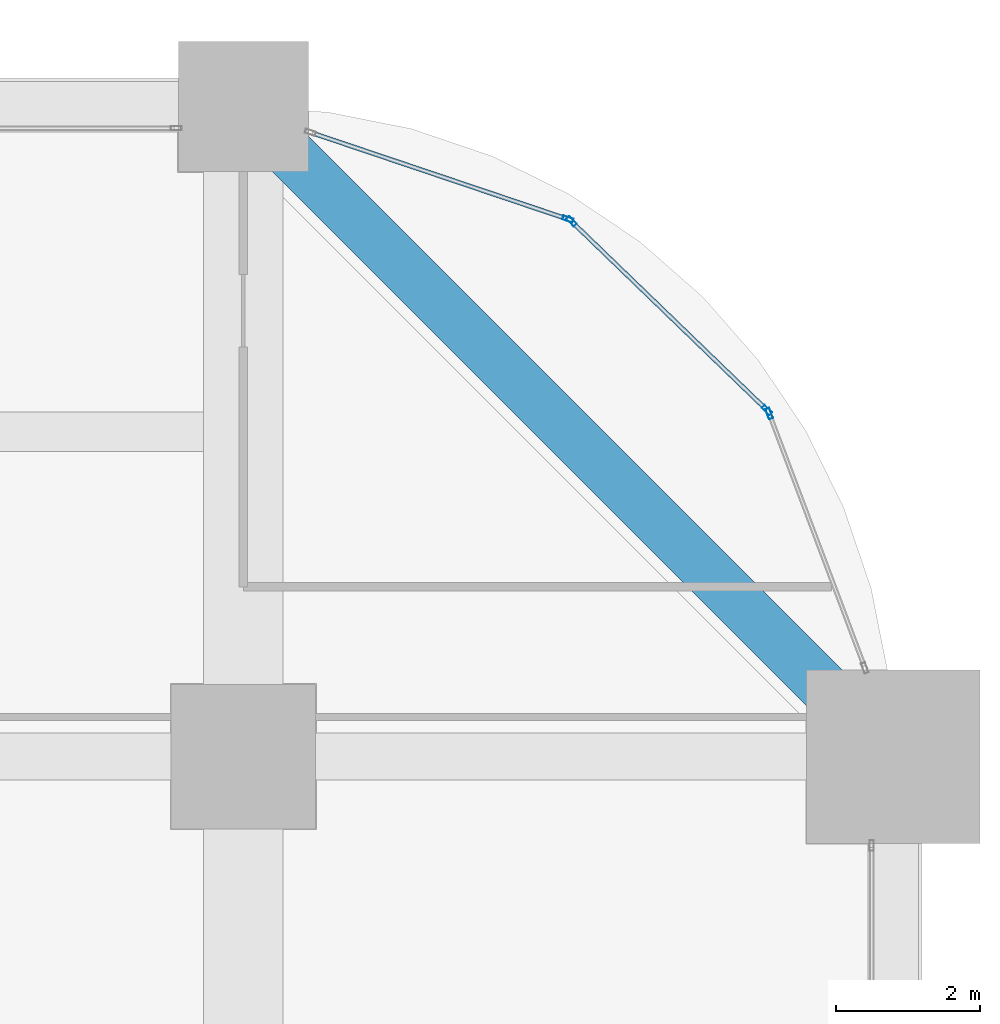
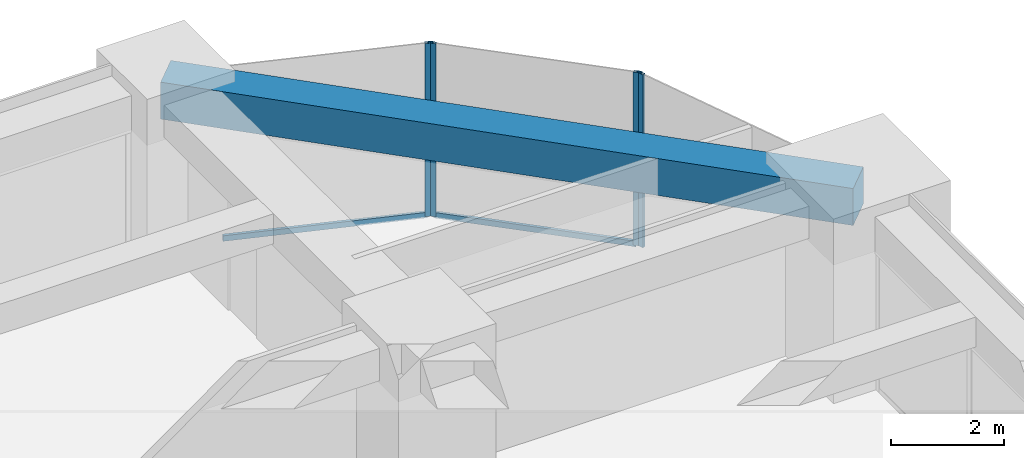
# One storey, part 34 of 41: 6 members, 1 beam, 3 elements without a shape of their own.
"""IFC4 building model written with IfcOpenShell, lengths in metres."""

from ifc_helpers import new_model, si_unit, direction, frame, origin, origin_2d, place, context, subcontext, project, spatial, rectangle, hollow_rectangle, extrude, material, material_profile, profile_set, type_object, element, aggregate, save


model = new_model("IFC4")

# Units and contexts
model_context = context("Model", 3, precision=1e-05, world=origin(), true_north=direction((0.0, 1.0)))
body_context = subcontext(model_context, "Body", "Model", "MODEL_VIEW")
ifc_project = project(units=[si_unit("LENGTHUNIT", "METRE"), si_unit("AREAUNIT", "SQUARE_METRE"), si_unit("VOLUMEUNIT", "CUBIC_METRE"), si_unit("PLANEANGLEUNIT", "RADIAN"), si_unit("MASSUNIT", "GRAM", prefix="KILO")], contexts=[model_context])

# Site, building, storey
site_placement = place(None, origin())
site = spatial("IfcSite", under=ifc_project, at=site_placement, CompositionType="ELEMENT")
building_placement = place(site_placement, origin())
building = spatial("IfcBuilding", under=site, at=building_placement, Name="Zorevar Civic Tower", CompositionType="ELEMENT")
storey_placement = place(building_placement, frame((0.0, 0.0, 101.0)))
storey = spatial("IfcBuildingStorey", under=building, at=storey_placement, Name="L24", CompositionType="ELEMENT", Elevation=101.0)

# Curtain wall, member
ifc_material_1 = material(Name="Dark grey solar-control glass in black aluminium frame", Category="aluminium")
curtain_wall_type = type_object("IfcCurtainWallType", Name="Curtain wall CW3 mid zone", PredefinedType="NOTDEFINED", material=ifc_material_1)
curtain_wall_1_placement = place(storey_placement, origin())
curtain_wall_1 = element("IfcCurtainWall", 1, at=curtain_wall_1_placement, inside=storey, type_object=curtain_wall_type, Name="CW3 L24", PredefinedType="NOTDEFINED")
ifc_material_2 = material(Name="Aluminium, black anodised", Category="aluminium")
ifc_material_profile_1 = material_profile(ifc_material_2, hollow_rectangle(XDim=0.06005859375, YDim=0.14990234375, WallThickness=0.00390625, at=origin_2d()), Name="AL 150x60x4")
ifc_profile_set_1 = profile_set([ifc_material_profile_1], Name="Aluminium, black anodised")
member_type_1 = type_object("IfcMemberType", Name="CW3 mullion AL 150x60x4", PredefinedType="MULLION", material=ifc_profile_set_1)
member_1_placement = place(storey_placement, frame((61.281494140625, 40.749267578125, 0.0), z_axis=(0.0, 0.0, 1.0), x_axis=(-0.935950528564, -0.352131520999, 0.0)))
member_1 = element("IfcMember", 2, at=member_1_placement, type_object=member_type_1, Name="CW3 mullion 2", PredefinedType="MULLION", context=body_context, shape_type="SweptSolid", body=[
    extrude(hollow_rectangle(XDim=0.06005859375, YDim=0.14990234375, WallThickness=0.00390625, at=origin_2d()), origin(), (0.0, 0.0, 1.0), 3.75),
])
aggregate(curtain_wall_1, [member_1])

# Curtain wall, members
curtain_wall_2_placement = place(storey_placement, origin())
curtain_wall_2 = element("IfcCurtainWall", 3, at=curtain_wall_2_placement, inside=storey, type_object=curtain_wall_type, Name="CW3 L24", PredefinedType="NOTDEFINED")
member_2_placement = place(storey_placement, frame((61.249267578125, 40.798095703125, 0.0), z_axis=(0.0, 0.0, 1.0), x_axis=(-0.694719089155, -0.719281160023, 0.0)))
member_2 = element("IfcMember", 4, at=member_2_placement, type_object=member_type_1, Name="CW3 mullion 1", PredefinedType="MULLION", context=body_context, shape_type="SweptSolid", body=[
    extrude(hollow_rectangle(XDim=0.06005859375, YDim=0.14990234375, WallThickness=0.00390625, at=origin_2d()), origin(), (0.0, 0.0, 1.0), 3.75),
])
member_3_placement = place(storey_placement, frame((58.54345703125, 43.41162109375, 0.0), z_axis=(0.0, 0.0, 1.0), x_axis=(-0.694719089155, -0.719281160023, 0.0)))
member_3 = element("IfcMember", 5, at=member_3_placement, type_object=member_type_1, Name="CW3 mullion 2", PredefinedType="MULLION", context=body_context, shape_type="SweptSolid", body=[
    extrude(hollow_rectangle(XDim=0.06005859375, YDim=0.14990234375, WallThickness=0.00390625, at=origin_2d()), origin(), (0.0, 0.0, 1.0), 3.75),
])

# Curtain wall, member
curtain_wall_3_placement = place(storey_placement, origin())
curtain_wall_3 = element("IfcCurtainWall", 6, at=curtain_wall_3_placement, inside=storey, type_object=curtain_wall_type, Name="CW3 L24", PredefinedType="NOTDEFINED")
member_4_placement = place(storey_placement, frame((58.493408203125, 43.442138671875, 0.0), z_axis=(0.0, 0.0, 1.0), x_axis=(-0.319412525043, -0.947615765406, 0.0)))
member_4 = element("IfcMember", 7, at=member_4_placement, type_object=member_type_1, Name="CW3 mullion 1", PredefinedType="MULLION", context=body_context, shape_type="SweptSolid", body=[
    extrude(hollow_rectangle(XDim=0.06005859375, YDim=0.14990234375, WallThickness=0.00390625, at=origin_2d()), origin(), (0.0, 0.0, 1.0), 3.75),
])

# Member
ifc_material_3 = material(Name="Aluminium, black anodised", Category="aluminium")
ifc_material_profile_2 = material_profile(ifc_material_3, hollow_rectangle(XDim=0.06005859375, YDim=0.1201171875, WallThickness=0.0029296875, at=origin_2d()), Name="AL 120x60x3")
ifc_profile_set_2 = profile_set([ifc_material_profile_2], Name="Aluminium, black anodised")
member_type_2 = type_object("IfcMemberType", Name="CW3 transom AL 120x60x3", PredefinedType="USERDEFINED", material=ifc_profile_set_2)
member_5_placement = place(storey_placement, frame((61.227783203125, 40.81884765625, 0.030029296875), z_axis=(-0.719266228526, 0.694734548228, 0.0), x_axis=(-0.694734548228, -0.719266228526, 0.0)))
member_5 = element("IfcMember", 8, at=member_5_placement, type_object=member_type_2, Name="CW3 sill transom", ObjectType="TRANSOM", PredefinedType="USERDEFINED", context=body_context, shape_type="SweptSolid", body=[
    extrude(hollow_rectangle(XDim=0.06005859375, YDim=0.1201171875, WallThickness=0.0029296875, at=origin_2d()), origin(), (0.0, 0.0, 1.0), 3.7021484375),
])

aggregate(curtain_wall_2, [member_2, member_3, member_5])

member_6_placement = place(storey_placement, frame((58.465087890625, 43.45166015625, 0.030029296875), z_axis=(-0.9476295577, 0.319371603893, 0.0), x_axis=(-0.319371603893, -0.9476295577, 0.0)))
member_6 = element("IfcMember", 9, at=member_6_placement, type_object=member_type_2, Name="CW3 sill transom", ObjectType="TRANSOM", PredefinedType="USERDEFINED", context=body_context, shape_type="SweptSolid", body=[
    extrude(hollow_rectangle(XDim=0.06005859375, YDim=0.1201171875, WallThickness=0.0029296875, at=origin_2d()), origin(), (0.0, 0.0, 1.0), 3.7021484375),
])

aggregate(curtain_wall_3, [member_4, member_6])

# Beam
ifc_material_4 = material(Name="Concrete C50/60", Category="concrete")
ifc_material_profile_3 = material_profile(ifc_material_4, rectangle(XDim=0.699951171875, YDim=0.800048828125, at=origin_2d()), Name="RC 700x800")
ifc_profile_set_3 = profile_set([ifc_material_profile_3], Name="Concrete C50/60")
beam_type = type_object("IfcBeamType", Name="Edge beam RC 700x800", PredefinedType="SPANDREL", material=ifc_profile_set_3)
beam_placement = place(storey_placement, frame((63.0, 36.0, 3.35009765625), z_axis=(-0.707106781187, 0.707106781187, 0.0), x_axis=(-0.707106781187, -0.707106781187, 0.0)))
element("IfcBeam", 10, at=beam_placement, inside=storey, type_object=beam_type, Name="Corner edge beam L25", PredefinedType="SPANDREL", context=body_context, shape_type="SweptSolid", body=[
    extrude(rectangle(XDim=0.699951171875, YDim=0.800048828125, at=origin_2d()), origin(), (0.0, 0.0, 1.0), 12.72802734375),
])

save(model, "model.ifc")
